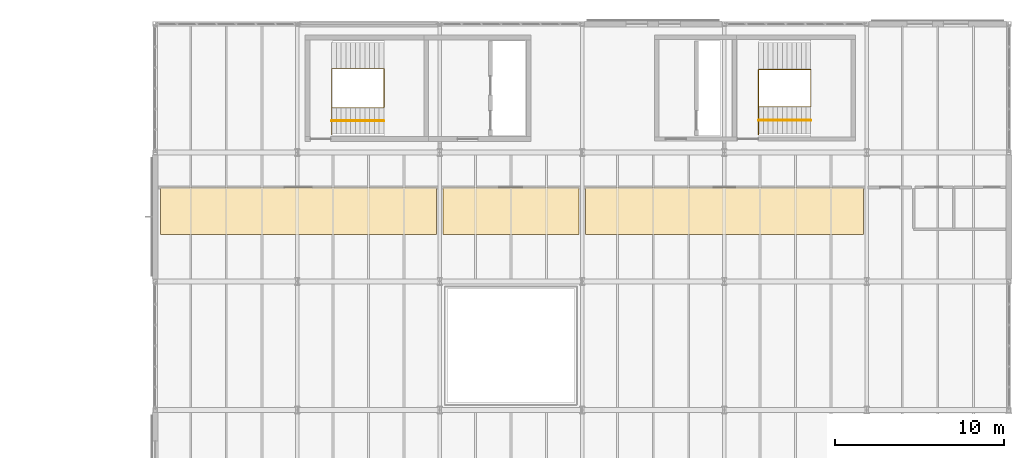
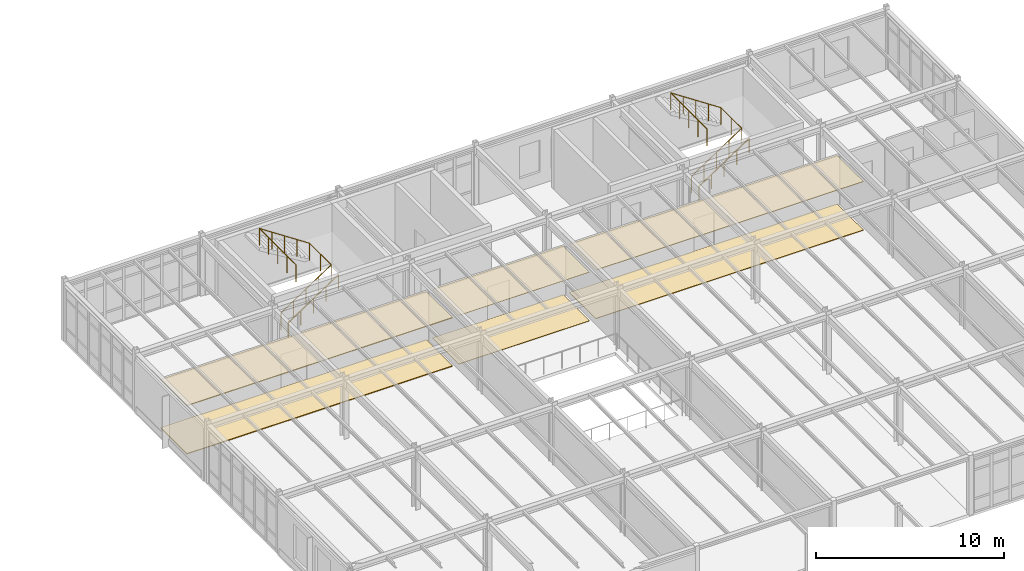
# One storey, part 185 of 189: 6 coverings, 4 railings.
"""IFC4 building model written with IfcOpenShell, lengths in metres."""

from ifc_helpers import new_model, si_unit, direction, frame, origin, origin_2d, place, context, subcontext, project, spatial, polyline, circle, outline, extrude, material, layer, layer_set, type_object, element, save


model = new_model("IFC4")

# Units and contexts
model_context = context("Model", 3, precision=1e-05, world=origin(), true_north=direction((0.0, 1.0)))
body_context = subcontext(model_context, "Body", "Model", "MODEL_VIEW")
ifc_project = project(units=[si_unit("LENGTHUNIT", "METRE"), si_unit("AREAUNIT", "SQUARE_METRE"), si_unit("VOLUMEUNIT", "CUBIC_METRE"), si_unit("PLANEANGLEUNIT", "RADIAN"), si_unit("MASSUNIT", "GRAM", prefix="KILO")], contexts=[model_context])

# Site, building, storey
site_placement = place(None, origin())
site = spatial("IfcSite", under=ifc_project, at=site_placement, CompositionType="ELEMENT")
building_placement = place(site_placement, origin())
building = spatial("IfcBuilding", under=site, at=building_placement, Name="Montecoro Central Library", CompositionType="ELEMENT")
storey_placement = place(building_placement, frame((0.0, 0.0, 9.179931640625)))
storey = spatial("IfcBuildingStorey", under=building, at=storey_placement, Name="L02", CompositionType="ELEMENT", Elevation=9.179931640625)

# Coverings
ifc_material_1 = material(Name="Acoustic perforated mineral ceiling")
ifc_layer_1 = layer(ifc_material_1, 0.02490234375)
ifc_layer_set_1 = layer_set([ifc_layer_1], Name="Acoustic perforated mineral ceiling")
covering_type_1 = type_object("IfcCoveringType", Name="COV-CLG-01", PredefinedType="CEILING", material=ifc_layer_set_1)
covering_1_placement = place(storey_placement, frame((0.0, 0.0, 3.155029296875)))
element("IfcCovering", 1, at=covering_1_placement, inside=storey, type_object=covering_type_1, Name="CLG-SP-V2-L02-R2P1", PredefinedType="CEILING", context=body_context, shape_type="SweptSolid", body=[
    extrude(outline(polyline([(83.389892578125, 106.550048828125), (91.409912109375, 106.550048828125), (91.409912109375, 109.35009765625), (83.389892578125, 109.35009765625), (83.389892578125, 106.550048828125)])), origin(), (0.0, 0.0, 1.0), 0.025146484375),
])
ifc_layer_2 = layer(ifc_material_1, 0.031982421875)
ifc_layer_set_2 = layer_set([ifc_layer_2], Name="Acoustic perforated mineral ceiling")
covering_type_2 = type_object("IfcCoveringType", Name="COV-CLG-02", PredefinedType="CEILING", material=ifc_layer_set_2)
covering_2_placement = place(storey_placement, frame((0.0, 0.0, 3.14794921875)))
element("IfcCovering", 2, at=covering_2_placement, inside=storey, type_object=covering_type_2, Name="CLG-SP-V2-L02-R3P1", PredefinedType="CEILING", context=body_context, shape_type="SweptSolid", body=[
    extrude(outline(polyline([(91.7900390625, 106.550048828125), (108.2099609375, 106.550048828125), (108.2099609375, 109.35009765625), (91.7900390625, 109.35009765625), (91.7900390625, 106.550048828125)])), origin(), (0.0, 0.0, 1.0), 0.0322265625),
])
ifc_layer_3 = layer(ifc_material_1, 0.048095703125)
ifc_layer_set_3 = layer_set([ifc_layer_3], Name="Acoustic perforated mineral ceiling")
covering_type_3 = type_object("IfcCoveringType", Name="COV-CLG-04", PredefinedType="CEILING", material=ifc_layer_set_3)
covering_3_placement = place(storey_placement, frame((0.0, 0.0, 3.132080078125)))
element("IfcCovering", 3, at=covering_3_placement, inside=storey, type_object=covering_type_3, Name="CLG-SP-V2-L02-R1P1", PredefinedType="CEILING", context=body_context, shape_type="SweptSolid", body=[
    extrude(outline(polyline([(66.719970703125, 106.550048828125), (83.010009765625, 106.550048828125), (83.010009765625, 109.35009765625), (66.719970703125, 109.35009765625), (66.719970703125, 106.550048828125)])), origin(), (0.0, 0.0, 1.0), 0.048095703125),
])
ifc_material_2 = material(Name="Neapolitan brass-inlaid terrazzo flooring")
ifc_layer_4 = layer(ifc_material_2, 0.028076171875)
ifc_layer_set_4 = layer_set([ifc_layer_4], Name="Neapolitan brass-inlaid terrazzo flooring")
covering_type_4 = type_object("IfcCoveringType", Name="COV-FLR-01", PredefinedType="FLOORING", material=ifc_layer_set_4)
covering_4_placement = place(storey_placement, origin())
element("IfcCovering", 4, at=covering_4_placement, inside=storey, type_object=covering_type_4, Name="FLR-SP-V2-L02-R2P1", PredefinedType="FLOORING", context=body_context, shape_type="SweptSolid", body=[
    extrude(outline(polyline([(83.389892578125, 106.550048828125), (91.409912109375, 106.550048828125), (91.409912109375, 109.35009765625), (83.389892578125, 109.35009765625), (83.389892578125, 106.550048828125)])), origin(), (0.0, 0.0, 1.0), 0.028076171875),
])
ifc_layer_5 = layer(ifc_material_2, 0.035888671875)
ifc_layer_set_5 = layer_set([ifc_layer_5], Name="Neapolitan brass-inlaid terrazzo flooring")
covering_type_5 = type_object("IfcCoveringType", Name="COV-FLR-02", PredefinedType="FLOORING", material=ifc_layer_set_5)
covering_5_placement = place(storey_placement, origin())
element("IfcCovering", 5, at=covering_5_placement, inside=storey, type_object=covering_type_5, Name="FLR-SP-V2-L02-R3P1", PredefinedType="FLOORING", context=body_context, shape_type="SweptSolid", body=[
    extrude(outline(polyline([(91.7900390625, 106.550048828125), (108.2099609375, 106.550048828125), (108.2099609375, 109.35009765625), (91.7900390625, 109.35009765625), (91.7900390625, 106.550048828125)])), origin(), (0.0, 0.0, 1.0), 0.0361328125),
])
ifc_layer_6 = layer(ifc_material_2, 0.052001953125)
ifc_layer_set_6 = layer_set([ifc_layer_6], Name="Neapolitan brass-inlaid terrazzo flooring")
covering_type_6 = type_object("IfcCoveringType", Name="COV-FLR-04", PredefinedType="FLOORING", material=ifc_layer_set_6)
covering_6_placement = place(storey_placement, origin())
element("IfcCovering", 6, at=covering_6_placement, inside=storey, type_object=covering_type_6, Name="FLR-SP-V2-L02-R1P1", PredefinedType="FLOORING", context=body_context, shape_type="SweptSolid", body=[
    extrude(outline(polyline([(66.719970703125, 106.550048828125), (83.010009765625, 106.550048828125), (83.010009765625, 109.35009765625), (66.719970703125, 109.35009765625), (66.719970703125, 106.550048828125)])), origin(), (0.0, 0.0, 1.0), 0.052001953125),
])

# Railings
ifc_material_3 = material(Name="Brushed stainless steel and bronze balustrade", Category="steel")
railing_type_1 = type_object("IfcRailingType", Name="GRD-INT-110", PredefinedType="GUARDRAIL", material=ifc_material_3)
railing_1_placement = place(storey_placement, frame((76.820068359375, 114.050048828125, 0.0)))
element("IfcRailing", 7, at=railing_1_placement, inside=storey, type_object=railing_type_1, Name="C2-L02-STR-GRD", PredefinedType="GUARDRAIL", context=body_context, shape_type="SweptSolid", body=[
    extrude(circle(Radius=0.02392578125, at=origin_2d()), frame((0.0, 0.0, 1.09619140625), z_axis=(0.833693729882, 0.0, 0.552227095275), x_axis=(0.0, 1.0, 0.0)), (0.0, 0.0, 1.0), 3.694091796875),
    extrude(circle(Radius=0.02392578125, at=origin_2d()), frame((3.079833984375, 0.0, 3.13623046875), z_axis=(0.0, 1.0, 0.0), x_axis=(-1.0, 0.0, 0.0)), (0.0, 0.0, 1.0), 2.300048828125),
    extrude(circle(Radius=0.02392578125, at=origin_2d()), frame((3.079833984375, 2.300048828125, 3.13623046875), z_axis=(-0.833693729882, 0.0, 0.552227095275), x_axis=(0.0, -1.0, 0.0)), (0.0, 0.0, 1.0), 3.694091796875),
    extrude(circle(Radius=0.02392578125, at=origin_2d()), frame((0.0, 2.300048828125, 5.17626953125), z_axis=(0.0, -1.0, 0.0), x_axis=(1.0, 0.0, 0.0)), (0.0, 0.0, 1.0), 3.900146484375),
    extrude(circle(Radius=0.02099609375, at=origin_2d()), origin(), (0.0, 0.0, 1.0), 1.072021484375),
    extrude(circle(Radius=0.02099609375, at=origin_2d()), frame((0.77001953125, 0.0, 0.510009765625)), (0.0, 0.0, 1.0), 1.072021484375),
    extrude(circle(Radius=0.02099609375, at=origin_2d()), frame((1.5400390625, 0.0, 1.02001953125)), (0.0, 0.0, 1.0), 1.072021484375),
    extrude(circle(Radius=0.02099609375, at=origin_2d()), frame((2.309814453125, 0.0, 1.530029296875)), (0.0, 0.0, 1.0), 1.072021484375),
    extrude(circle(Radius=0.02099609375, at=origin_2d()), frame((3.079833984375, 0.0, 2.0400390625)), (0.0, 0.0, 1.0), 1.072021484375),
    extrude(circle(Radius=0.02099609375, at=origin_2d()), frame((3.079833984375, 1.14990234375, 2.0400390625)), (0.0, 0.0, 1.0), 1.072021484375),
    extrude(circle(Radius=0.02099609375, at=origin_2d()), frame((3.079833984375, 2.300048828125, 2.0400390625)), (0.0, 0.0, 1.0), 1.072021484375),
    extrude(circle(Radius=0.02099609375, at=origin_2d()), frame((2.309814453125, 2.300048828125, 2.550048828125)), (0.0, 0.0, 1.0), 1.072021484375),
    extrude(circle(Radius=0.02099609375, at=origin_2d()), frame((1.5400390625, 2.300048828125, 3.06005859375)), (0.0, 0.0, 1.0), 1.072021484375),
    extrude(circle(Radius=0.02099609375, at=origin_2d()), frame((0.77001953125, 2.300048828125, 3.570068359375)), (0.0, 0.0, 1.0), 1.072021484375),
    extrude(circle(Radius=0.02099609375, at=origin_2d()), frame((0.0, 2.300048828125, 4.080078125)), (0.0, 0.0, 1.0), 1.072021484375),
    extrude(circle(Radius=0.02099609375, at=origin_2d()), frame((0.0, 1.324951171875, 4.080078125)), (0.0, 0.0, 1.0), 1.072021484375),
    extrude(circle(Radius=0.02099609375, at=origin_2d()), frame((0.0, 0.35009765625, 4.080078125)), (0.0, 0.0, 1.0), 1.072021484375),
    extrude(circle(Radius=0.02099609375, at=origin_2d()), frame((0.0, -0.625, 4.080078125)), (0.0, 0.0, 1.0), 1.072021484375),
    extrude(circle(Radius=0.02099609375, at=origin_2d()), frame((0.0, -1.60009765625, 4.080078125)), (0.0, 0.0, 1.0), 1.072021484375),
])
railing_2_placement = place(storey_placement, frame((102.02001953125, 114.10009765625, 0.0)))
element("IfcRailing", 8, at=railing_2_placement, inside=storey, type_object=railing_type_1, Name="C3-L02-STR-GRD", PredefinedType="GUARDRAIL", context=body_context, shape_type="SweptSolid", body=[
    extrude(circle(Radius=0.02392578125, at=origin_2d()), frame((0.0, 0.0, 1.09619140625), z_axis=(0.833713881912, 0.0, 0.552196670677), x_axis=(0.0, 1.0, 0.0)), (0.0, 0.0, 1.0), 3.6943359375),
    extrude(circle(Radius=0.02392578125, at=origin_2d()), frame((3.080078125, 0.0, 3.13623046875), z_axis=(0.0, 1.0, 0.0), x_axis=(-1.0, 0.0, 0.0)), (0.0, 0.0, 1.0), 2.199951171875),
    extrude(circle(Radius=0.02392578125, at=origin_2d()), frame((3.080078125, 2.199951171875, 3.13623046875), z_axis=(-0.833713881912, 0.0, 0.552196670677), x_axis=(0.0, -1.0, 0.0)), (0.0, 0.0, 1.0), 3.6943359375),
    extrude(circle(Radius=0.02392578125, at=origin_2d()), frame((0.0, 2.199951171875, 5.17626953125), z_axis=(0.0, -1.0, 0.0), x_axis=(1.0, 0.0, 0.0)), (0.0, 0.0, 1.0), 3.85009765625),
    extrude(circle(Radius=0.02099609375, at=origin_2d()), origin(), (0.0, 0.0, 1.0), 1.072021484375),
    extrude(circle(Radius=0.02099609375, at=origin_2d()), frame((0.77001953125, 0.0, 0.510009765625)), (0.0, 0.0, 1.0), 1.072021484375),
    extrude(circle(Radius=0.02099609375, at=origin_2d()), frame((1.5400390625, 0.0, 1.02001953125)), (0.0, 0.0, 1.0), 1.072021484375),
    extrude(circle(Radius=0.02099609375, at=origin_2d()), frame((2.31005859375, 0.0, 1.530029296875)), (0.0, 0.0, 1.0), 1.072021484375),
    extrude(circle(Radius=0.02099609375, at=origin_2d()), frame((3.080078125, 0.0, 2.0400390625)), (0.0, 0.0, 1.0), 1.072021484375),
    extrude(circle(Radius=0.02099609375, at=origin_2d()), frame((3.080078125, 1.10009765625, 2.0400390625)), (0.0, 0.0, 1.0), 1.072021484375),
    extrude(circle(Radius=0.02099609375, at=origin_2d()), frame((3.080078125, 2.199951171875, 2.0400390625)), (0.0, 0.0, 1.0), 1.072021484375),
    extrude(circle(Radius=0.02099609375, at=origin_2d()), frame((2.31005859375, 2.199951171875, 2.550048828125)), (0.0, 0.0, 1.0), 1.072021484375),
    extrude(circle(Radius=0.02099609375, at=origin_2d()), frame((1.5400390625, 2.199951171875, 3.06005859375)), (0.0, 0.0, 1.0), 1.072021484375),
    extrude(circle(Radius=0.02099609375, at=origin_2d()), frame((0.77001953125, 2.199951171875, 3.570068359375)), (0.0, 0.0, 1.0), 1.072021484375),
    extrude(circle(Radius=0.02099609375, at=origin_2d()), frame((0.0, 2.199951171875, 4.080078125)), (0.0, 0.0, 1.0), 1.072021484375),
    extrude(circle(Radius=0.02099609375, at=origin_2d()), frame((0.0, 1.2373046875, 4.080078125)), (0.0, 0.0, 1.0), 1.072021484375),
    extrude(circle(Radius=0.02099609375, at=origin_2d()), frame((0.0, 0.27490234375, 4.080078125)), (0.0, 0.0, 1.0), 1.072021484375),
    extrude(circle(Radius=0.02099609375, at=origin_2d()), frame((0.0, -0.6875, 4.080078125)), (0.0, 0.0, 1.0), 1.072021484375),
    extrude(circle(Radius=0.02099609375, at=origin_2d()), frame((0.0, -1.650146484375, 4.080078125)), (0.0, 0.0, 1.0), 1.072021484375),
])
ifc_material_4 = material(Name="Brushed architectural bronze handrail")
railing_type_2 = type_object("IfcRailingType", Name="HRL-STR-095", PredefinedType="HANDRAIL", material=ifc_material_4)
railing_3_placement = place(storey_placement, frame((76.820068359375, 113.27490234375, 0.0)))
element("IfcRailing", 9, at=railing_3_placement, inside=storey, type_object=railing_type_2, Name="C2-L02-STR-HR1", PredefinedType="HANDRAIL", context=body_context, shape_type="SweptSolid", body=[
    extrude(circle(Radius=0.02392578125, at=origin_2d()), frame((0.0, 0.0, 0.92578125), z_axis=(0.833693729882, 0.0, 0.552227095275), x_axis=(0.0, 1.0, 0.0)), (0.0, 0.0, 1.0), 3.694091796875),
    extrude(circle(Radius=0.02099609375, at=origin_2d()), origin(), (0.0, 0.0, 1.0), 0.90185546875),
    extrude(circle(Radius=0.02099609375, at=origin_2d()), frame((0.77001953125, 0.0, 0.510009765625)), (0.0, 0.0, 1.0), 0.90185546875),
    extrude(circle(Radius=0.02099609375, at=origin_2d()), frame((1.5400390625, 0.0, 1.02001953125)), (0.0, 0.0, 1.0), 0.90185546875),
    extrude(circle(Radius=0.02099609375, at=origin_2d()), frame((2.309814453125, 0.0, 1.530029296875)), (0.0, 0.0, 1.0), 0.90185546875),
    extrude(circle(Radius=0.02099609375, at=origin_2d()), frame((3.079833984375, 0.0, 2.0400390625)), (0.0, 0.0, 1.0), 0.90185546875),
])
railing_4_placement = place(storey_placement, frame((102.02001953125, 113.300048828125, 0.0)))
element("IfcRailing", 10, at=railing_4_placement, inside=storey, type_object=railing_type_2, Name="C3-L02-STR-HR1", PredefinedType="HANDRAIL", context=body_context, shape_type="SweptSolid", body=[
    extrude(circle(Radius=0.02392578125, at=origin_2d()), frame((0.0, 0.0, 0.92578125), z_axis=(0.833713881912, 0.0, 0.552196670677), x_axis=(0.0, 1.0, 0.0)), (0.0, 0.0, 1.0), 3.6943359375),
    extrude(circle(Radius=0.02099609375, at=origin_2d()), origin(), (0.0, 0.0, 1.0), 0.90185546875),
    extrude(circle(Radius=0.02099609375, at=origin_2d()), frame((0.77001953125, 0.0, 0.510009765625)), (0.0, 0.0, 1.0), 0.90185546875),
    extrude(circle(Radius=0.02099609375, at=origin_2d()), frame((1.5400390625, 0.0, 1.02001953125)), (0.0, 0.0, 1.0), 0.90185546875),
    extrude(circle(Radius=0.02099609375, at=origin_2d()), frame((2.31005859375, 0.0, 1.530029296875)), (0.0, 0.0, 1.0), 0.90185546875),
    extrude(circle(Radius=0.02099609375, at=origin_2d()), frame((3.080078125, 0.0, 2.0400390625)), (0.0, 0.0, 1.0), 0.90185546875),
])

save(model, "model.ifc")
